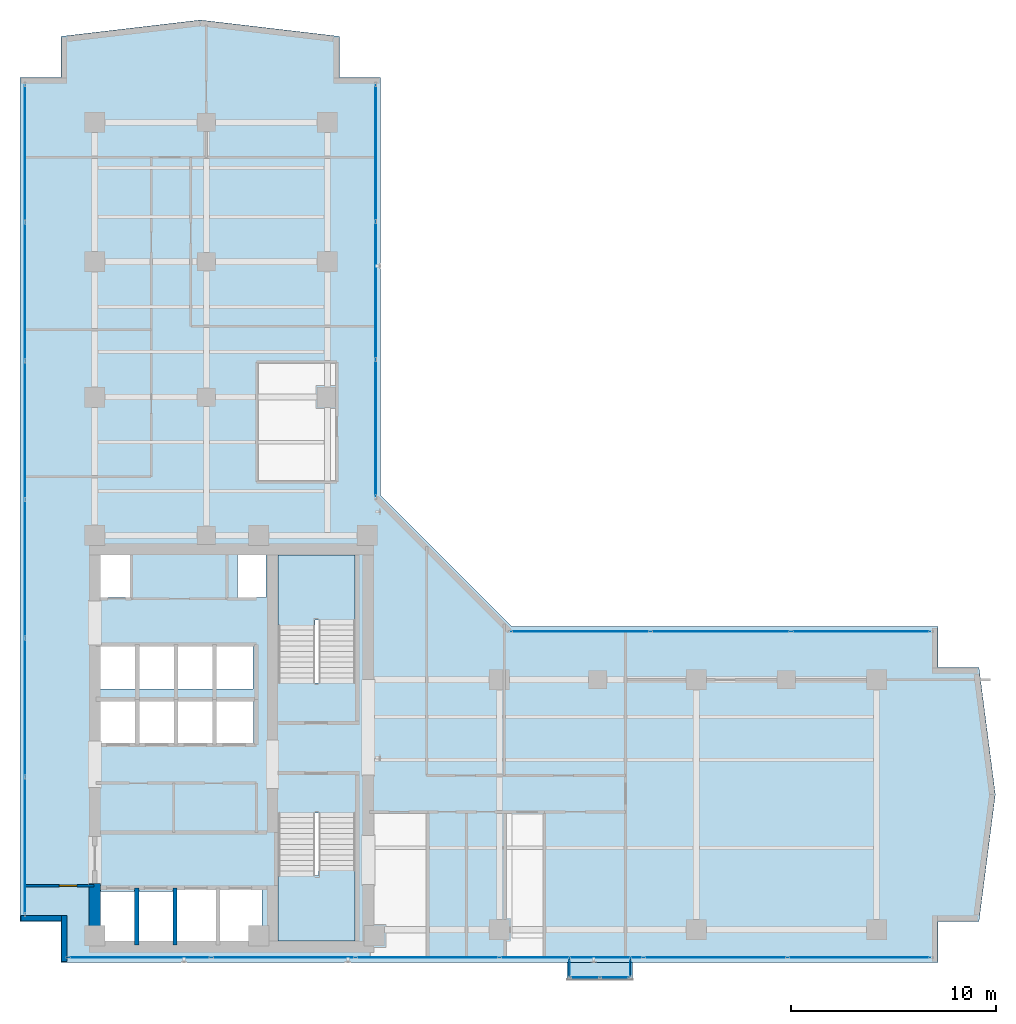
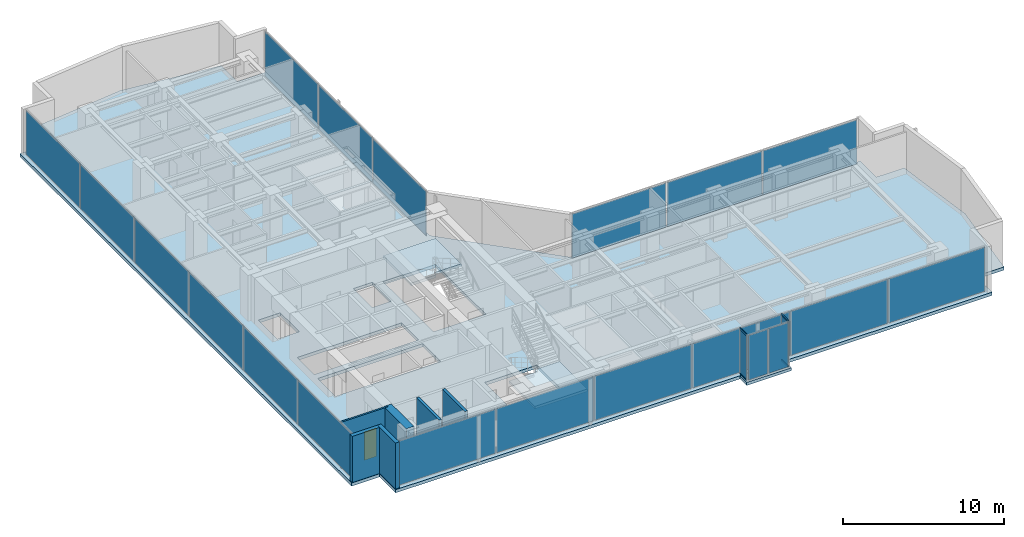
# One storey, part 16 of 22: 22 plates, 6 walls, 4 members, 4 slabs, 1 door, 1 opening, 9 elements without a shape of their own.
"""IFC4 building model written with IfcOpenShell, lengths in metres."""

from ifc_helpers import new_model, si_unit, direction, frame, frame_2d, origin, origin_with_axes, origin_2d, place, context, subcontext, project, spatial, polyline, rectangle, hollow_rectangle, outline, extrude, source, transform, mapped, material, layer, layer_set, material_profile, profile_set, type_object, element, fill, aggregate, save


model = new_model("IFC4")

# Units and contexts
model_context = context("Model", 3, precision=1e-05, world=origin(), true_north=direction((0.0, 1.0)))
body_context = subcontext(model_context, "Body", "Model", "MODEL_VIEW")
ifc_project = project(units=[si_unit("LENGTHUNIT", "METRE"), si_unit("AREAUNIT", "SQUARE_METRE"), si_unit("VOLUMEUNIT", "CUBIC_METRE"), si_unit("PLANEANGLEUNIT", "RADIAN"), si_unit("MASSUNIT", "GRAM", prefix="KILO")], contexts=[model_context])

# Site, building, storey
site_placement = place(None, origin())
site = spatial("IfcSite", under=ifc_project, at=site_placement, CompositionType="ELEMENT")
building_placement = place(site_placement, origin())
building = spatial("IfcBuilding", under=site, at=building_placement, Name="Kolvaren Waterfront Exchange", CompositionType="ELEMENT")
storey_placement = place(building_placement, frame((0.0, 0.0, 219.699951171875)))
storey = spatial("IfcBuildingStorey", under=building, at=storey_placement, Name="L56", CompositionType="ELEMENT", Elevation=219.699951171875)

# Curtain wall, members
ifc_material_1 = material(Name="Anodised bronze aluminium 6063-T6", Category="aluminium")
ifc_layer_1 = layer(ifc_material_1, 0.219970703125, Name="Anodised bronze aluminium 6063-T6")
ifc_layer_set_1 = layer_set([ifc_layer_1], Name="Anodised bronze aluminium 6063-T6")
curtain_wall_type_1 = type_object("IfcCurtainWallType", Name="ARC-CW-SYS3", PredefinedType="USERDEFINED", material=ifc_layer_set_1)
curtain_wall_1_placement = place(storey_placement, origin())
curtain_wall_1 = element("IfcCurtainWall", 1, at=curtain_wall_1_placement, inside=storey, type_object=curtain_wall_type_1, Name="L56 stick curtain wall CW3 (CW-L56-BOX-W)", ObjectType="STICK CURTAIN WALL", PredefinedType="USERDEFINED")
ifc_material_profile = material_profile(ifc_material_1, hollow_rectangle(XDim=0.06494140625, YDim=0.1298828125, WallThickness=0.00390625, at=origin_2d()), Name="ALU-TRN-130x65x4")
ifc_profile_set = profile_set([ifc_material_profile], Name="Anodised bronze aluminium 6063-T6")
member_type = type_object("IfcMemberType", Name="ARC-CWT-130", PredefinedType="USERDEFINED", material=ifc_profile_set)
shared_shape_1 = source(origin_with_axes(), body_context, "Body", "SweptSolid", [
    extrude(hollow_rectangle(XDim=0.06494140625, YDim=0.1298828125, WallThickness=0.00390625, at=origin_2d()), origin(), (0.0, 0.0, 1.0), 0.829833984375),
])
member_1_placement = place(storey_placement, frame((30.610107421875, 3.764892578125, 0.032470703125), z_axis=(0.0, -1.0, 0.0), x_axis=(1.0, 0.0, 0.0)))
member_1 = element("IfcMember", 2, at=member_1_placement, type_object=member_type, Name="CW3 transom 1.1", ObjectType="TRANSOM", PredefinedType="USERDEFINED", context=body_context, shape_type="MappedRepresentation", body=[
    mapped(shared_shape_1, transform((0.0, 0.0, 0.0), x_axis=(1.0, 0.0, 0.0), y_axis=(0.0, 1.0, 0.0), z_axis=(0.0, 0.0, 1.0), scale=1.0)),
])
member_2_placement = place(storey_placement, frame((30.610107421875, 3.764892578125, 3.467529296875), z_axis=(0.0, -1.0, 0.0), x_axis=(1.0, 0.0, 0.0)))
member_2 = element("IfcMember", 3, at=member_2_placement, type_object=member_type, Name="CW3 transom 1.2", ObjectType="TRANSOM", PredefinedType="USERDEFINED", context=body_context, shape_type="MappedRepresentation", body=[
    mapped(shared_shape_1, transform((0.0, 0.0, 0.0), x_axis=(1.0, 0.0, 0.0), y_axis=(0.0, 1.0, 0.0), z_axis=(0.0, 0.0, 1.0), scale=1.0)),
])

curtain_wall_2_placement = place(storey_placement, origin())
curtain_wall_2 = element("IfcCurtainWall", 4, at=curtain_wall_2_placement, inside=storey, type_object=curtain_wall_type_1, Name="L56 stick curtain wall CW3 (CW-L56-BOX-E)", ObjectType="STICK CURTAIN WALL", PredefinedType="USERDEFINED")
member_3_placement = place(storey_placement, frame((33.590087890625, 2.93505859375, 0.032470703125), z_axis=(0.0, 1.0, 0.0), x_axis=(-1.0, 0.0, 0.0)))
member_3 = element("IfcMember", 5, at=member_3_placement, type_object=member_type, Name="CW3 transom 1.1", ObjectType="TRANSOM", PredefinedType="USERDEFINED", context=body_context, shape_type="MappedRepresentation", body=[
    mapped(shared_shape_1, transform((0.0, 0.0, 0.0), x_axis=(1.0, 0.0, 0.0), y_axis=(0.0, 1.0, 0.0), z_axis=(0.0, 0.0, 1.0), scale=1.0)),
])
member_4_placement = place(storey_placement, frame((33.590087890625, 2.93505859375, 3.467529296875), z_axis=(0.0, 1.0, 0.0), x_axis=(-1.0, 0.0, 0.0)))
member_4 = element("IfcMember", 6, at=member_4_placement, type_object=member_type, Name="CW3 transom 1.2", ObjectType="TRANSOM", PredefinedType="USERDEFINED", context=body_context, shape_type="MappedRepresentation", body=[
    mapped(shared_shape_1, transform((0.0, 0.0, 0.0), x_axis=(1.0, 0.0, 0.0), y_axis=(0.0, 1.0, 0.0), z_axis=(0.0, 0.0, 1.0), scale=1.0)),
])

# Stair, slab
ifc_material_2 = material(Name="Concrete C40/50", Category="concrete")
stair_type = type_object("IfcStairType", Name="ARC-STAIR-3800", PredefinedType="HALF_TURN_STAIR", material=ifc_material_2)
stair_1_placement = place(storey_placement, origin())
stair_1 = element("IfcStair", 7, at=stair_1_placement, inside=storey, type_object=stair_type, Name="L56 Smoke-proof exit stair ST1", PredefinedType="HALF_TURN_STAIR")
ifc_layer_2 = layer(ifc_material_2, 0.199951171875, Name="Concrete C40/50")
ifc_layer_set_2 = layer_set([ifc_layer_2], Name="Concrete C40/50")
slab_type_1 = type_object("IfcSlabType", Name="STR-LANDING-200", PredefinedType="LANDING", material=ifc_layer_set_2)
slab_1_placement = place(storey_placement, frame((0.0, 0.0, 1.776123046875)))
slab_1 = element("IfcSlab", 8, at=slab_1_placement, type_object=slab_type_1, Name="ST1 landing 1", PredefinedType="LANDING", context=body_context, shape_type="SweptSolid", body=[
    extrude(outline(polyline([(16.39990234375, 7.840087890625), (16.39990234375, 4.64990234375), (20.159912109375, 4.64990234375), (20.159912109375, 8.10009765625), (18.360107421875, 8.10009765625), (18.360107421875, 7.840087890625), (16.39990234375, 7.840087890625)])), origin(), (0.0, 0.0, 1.0), 0.199951171875),
])
aggregate(stair_1, [slab_1])

stair_2_placement = place(storey_placement, origin())
stair_2 = element("IfcStair", 9, at=stair_2_placement, inside=storey, type_object=stair_type, Name="L56 Smoke-proof exit stair ST2", PredefinedType="HALF_TURN_STAIR")
slab_2_placement = place(storey_placement, frame((0.0, 0.0, 1.776123046875)))
slab_2 = element("IfcSlab", 10, at=slab_2_placement, type_object=slab_type_1, Name="ST2 landing 1", PredefinedType="LANDING", context=body_context, shape_type="SweptSolid", body=[
    extrude(outline(polyline([(20.159912109375, 20.31005859375), (20.159912109375, 23.5), (16.39990234375, 23.5), (16.39990234375, 20.050048828125), (18.199951171875, 20.050048828125), (18.199951171875, 20.31005859375), (20.159912109375, 20.31005859375)])), origin(), (0.0, 0.0, 1.0), 0.199951171875),
])
aggregate(stair_2, [slab_2])

# Slabs
ifc_layer_3 = layer(ifc_material_2, 0.239990234375, Name="Concrete C40/50")
ifc_layer_set_3 = layer_set([ifc_layer_3], Name="Concrete C40/50")
slab_type_2 = type_object("IfcSlabType", Name="STR-SLAB-240", PredefinedType="FLOOR", material=ifc_layer_set_3)
slab_3_placement = place(storey_placement, frame((0.0, 0.0, -0.239990234375)))
element("IfcSlab", 11, at=slab_3_placement, inside=storey, type_object=slab_type_2, Name="L56 structural floor slab", PredefinedType="FLOOR", context=body_context, shape_type="SweptSolid", body=[
    extrude(outline(polyline([(5.800048828125, 3.60009765625), (48.60009765625, 3.60009765625), (48.60009765625, 5.60009765625), (50.60009765625, 5.60009765625), (51.39990234375, 11.800048828125), (50.60009765625, 18.0), (48.60009765625, 18.0), (48.60009765625, 20.0), (27.800048828125, 20.0), (21.39990234375, 26.39990234375), (21.39990234375, 46.800048828125), (19.39990234375, 46.800048828125), (19.39990234375, 48.800048828125), (12.60009765625, 49.60009765625), (5.800048828125, 48.800048828125), (5.800048828125, 46.800048828125), (3.800048828125, 46.800048828125), (3.800048828125, 5.60009765625), (5.800048828125, 5.60009765625), (5.800048828125, 3.60009765625)]), holes=[polyline([(11.320068359375, 7.260009765625), (15.610107421875, 7.260009765625), (15.610107421875, 4.5400390625), (7.719970703125, 4.5400390625), (7.719970703125, 7.06005859375), (11.320068359375, 7.06005859375), (11.320068359375, 7.260009765625)]), polyline([(20.159912109375, 10.89990234375), (20.159912109375, 4.64990234375), (16.39990234375, 4.64990234375), (16.39990234375, 10.89990234375), (20.159912109375, 10.89990234375)]), polyline([(15.18505859375, 14.239990234375), (7.64501953125, 14.239990234375), (7.64501953125, 16.4599609375), (15.18505859375, 16.4599609375), (15.18505859375, 14.239990234375)]), polyline([(15.159912109375, 16.93994140625), (7.669921875, 16.93994140625), (7.669921875, 19.06005859375), (15.159912109375, 19.06005859375), (15.159912109375, 16.93994140625)]), polyline([(16.39990234375, 17.25), (16.39990234375, 23.5), (20.159912109375, 23.5), (20.159912109375, 17.25), (16.39990234375, 17.25)]), polyline([(7.60009765625, 23.780029296875), (9.179931640625, 23.780029296875), (9.179931640625, 21.419921875), (7.60009765625, 21.419921875), (7.60009765625, 23.780029296875)]), polyline([(14.419921875, 23.780029296875), (15.800048828125, 23.780029296875), (15.800048828125, 21.419921875), (14.419921875, 21.419921875), (14.419921875, 23.780029296875)])]), origin(), (0.0, 0.0, 1.0), 0.239990234375),
])
ifc_layer_4 = layer(ifc_material_2, 0.219970703125, Name="Concrete C40/50")
ifc_layer_set_4 = layer_set([ifc_layer_4], Name="Concrete C40/50")
slab_type_3 = type_object("IfcSlabType", Name="STR-TERR-220", PredefinedType="FLOOR", material=ifc_layer_set_4)
slab_4_placement = place(storey_placement, frame((0.0, 0.0, -0.219970703125)))
element("IfcSlab", 12, at=slab_4_placement, inside=storey, type_object=slab_type_3, Name="L56 projecting bay-box floor strip", PredefinedType="FLOOR", context=body_context, shape_type="SweptSolid", body=[
    extrude(outline(polyline([(30.5, 2.75), (33.699951171875, 2.75), (33.699951171875, 3.60009765625), (30.5, 3.60009765625), (30.5, 2.75)])), origin(), (0.0, 0.0, 1.0), 0.219970703125),
])

# Plate
ifc_material_3 = material(Name="Bronze tinted bay-box vision glass", Category="aluminium")
ifc_layer_5 = layer(ifc_material_3, 0.02392578125, Name="Bronze tinted bay-box vision glass")
ifc_layer_set_5 = layer_set([ifc_layer_5], Name="Bronze tinted bay-box vision glass")
plate_type_1 = type_object("IfcPlateType", Name="ARC-CWP-24", PredefinedType="CURTAIN_PANEL", material=ifc_layer_set_5)
shared_shape_2 = source(origin_with_axes(), body_context, "Body", "SweptSolid", [
    extrude(rectangle(XDim=0.830078125, YDim=0.02392578125, at=origin_2d()), origin(), (0.0, 0.0, 1.0), 3.3701171875),
])
plate_1_placement = place(storey_placement, frame((30.610107421875, 3.35009765625, 0.06494140625), z_axis=(0.0, 0.0, 1.0), x_axis=(0.0, -1.0, 0.0)))
plate_1 = element("IfcPlate", 13, at=plate_1_placement, type_object=plate_type_1, Name="CW3 panel 1.1", PredefinedType="CURTAIN_PANEL", context=body_context, shape_type="MappedRepresentation", body=[
    mapped(shared_shape_2, transform((0.0, 0.0, 0.0), x_axis=(1.0, 0.0, 0.0), y_axis=(0.0, 1.0, 0.0), z_axis=(0.0, 0.0, 1.0), scale=1.0)),
])

aggregate(curtain_wall_1, [member_1, member_2, plate_1])

plate_2_placement = place(storey_placement, frame((33.590087890625, 3.35009765625, 0.06494140625), z_axis=(0.0, 0.0, 1.0), x_axis=(0.0, 1.0, 0.0)))
plate_2 = element("IfcPlate", 14, at=plate_2_placement, type_object=plate_type_1, Name="CW3 panel 1.1", PredefinedType="CURTAIN_PANEL", context=body_context, shape_type="MappedRepresentation", body=[
    mapped(shared_shape_2, transform((0.0, 0.0, 0.0), x_axis=(1.0, 0.0, 0.0), y_axis=(0.0, 1.0, 0.0), z_axis=(0.0, 0.0, 1.0), scale=1.0)),
])

aggregate(curtain_wall_2, [member_3, member_4, plate_2])

# Curtain wall, plates
curtain_wall_3_placement = place(storey_placement, origin())
curtain_wall_3 = element("IfcCurtainWall", 15, at=curtain_wall_3_placement, inside=storey, type_object=curtain_wall_type_1, Name="L56 stick curtain wall CW3 (CW-L56-BOX)", ObjectType="STICK CURTAIN WALL", PredefinedType="USERDEFINED")
shared_shape_3 = source(origin_with_axes(), body_context, "Body", "SweptSolid", [
    extrude(rectangle(XDim=1.37744140625, YDim=0.02392578125, at=origin_2d()), origin(), (0.0, 0.0, 1.0), 3.3701171875),
])
plate_3_placement = place(storey_placement, frame((31.373779296875, 2.860107421875, 0.06494140625), z_axis=(0.0, 0.0, 1.0), x_axis=(1.0, 0.0, 0.0)))
plate_3 = element("IfcPlate", 16, at=plate_3_placement, type_object=plate_type_1, Name="CW3 panel 1.1", PredefinedType="CURTAIN_PANEL", context=body_context, shape_type="MappedRepresentation", body=[
    mapped(shared_shape_3, transform((0.0, 0.0, 0.0), x_axis=(1.0, 0.0, 0.0), y_axis=(0.0, 1.0, 0.0), z_axis=(0.0, 0.0, 1.0), scale=1.0)),
])
plate_4_placement = place(storey_placement, frame((32.826171875, 2.860107421875, 0.06494140625), z_axis=(0.0, 0.0, 1.0), x_axis=(1.0, 0.0, 0.0)))
plate_4 = element("IfcPlate", 17, at=plate_4_placement, type_object=plate_type_1, Name="CW3 panel 2.1", PredefinedType="CURTAIN_PANEL", context=body_context, shape_type="MappedRepresentation", body=[
    mapped(shared_shape_3, transform((0.0, 0.0, 0.0), x_axis=(1.0, 0.0, 0.0), y_axis=(0.0, 1.0, 0.0), z_axis=(0.0, 0.0, 1.0), scale=1.0)),
])
aggregate(curtain_wall_3, [plate_3, plate_4])

ifc_layer_6 = layer(ifc_material_1, 0.219970703125, Name="Anodised bronze aluminium 6063-T6")
ifc_layer_set_6 = layer_set([ifc_layer_6], Name="Anodised bronze aluminium 6063-T6")
curtain_wall_type_2 = type_object("IfcCurtainWallType", Name="ARC-CW-SYS1", PredefinedType="USERDEFINED", material=ifc_layer_set_6)
curtain_wall_4_placement = place(storey_placement, origin())
curtain_wall_4 = element("IfcCurtainWall", 18, at=curtain_wall_4_placement, inside=storey, type_object=curtain_wall_type_2, Name="L56 stick curtain wall CW1 (CW-L56-S)", ObjectType="STICK CURTAIN WALL", PredefinedType="USERDEFINED")
ifc_material_4 = material(Name="Bronze solar control vision glass", Category="aluminium")
ifc_layer_7 = layer(ifc_material_4, 0.028076171875, Name="Bronze solar control vision glass")
ifc_layer_set_7 = layer_set([ifc_layer_7], Name="Bronze solar control vision glass")
plate_type_2 = type_object("IfcPlateType", Name="ARC-CWP-28", PredefinedType="CURTAIN_PANEL", material=ifc_layer_set_7)
shared_shape_4 = source(origin_with_axes(), body_context, "Body", "SweptSolid", [
    extrude(rectangle(XDim=6.913330078125, YDim=0.028076171875, at=origin_2d()), origin(), (0.0, 0.0, 1.0), 3.35009765625),
])
plate_5_placement = place(storey_placement, frame((9.63671875, 3.840087890625, 0.074951171875), z_axis=(0.0, 0.0, 1.0), x_axis=(1.0, 0.0, 0.0)))
plate_5 = element("IfcPlate", 19, at=plate_5_placement, type_object=plate_type_2, Name="CW1 panel 1.1", PredefinedType="CURTAIN_PANEL", context=body_context, shape_type="MappedRepresentation", body=[
    mapped(shared_shape_4, transform((0.0, 0.0, 0.0), x_axis=(1.0, 0.0, 0.0), y_axis=(0.0, 1.0, 0.0), z_axis=(0.0, 0.0, 1.0), scale=1.0)),
])
plate_6_placement = place(storey_placement, frame((44.763427734375, 3.840087890625, 0.074951171875), z_axis=(0.0, 0.0, 1.0), x_axis=(1.0, 0.0, 0.0)))
plate_6 = element("IfcPlate", 20, at=plate_6_placement, type_object=plate_type_2, Name="CW1 panel 6.1", PredefinedType="CURTAIN_PANEL", context=body_context, shape_type="MappedRepresentation", body=[
    mapped(shared_shape_4, transform((0.0, 0.0, 0.0), x_axis=(1.0, 0.0, 0.0), y_axis=(0.0, 1.0, 0.0), z_axis=(0.0, 0.0, 1.0), scale=1.0)),
])
shared_shape_5 = source(origin_with_axes(), body_context, "Body", "SweptSolid", [
    extrude(rectangle(XDim=6.953369140625, YDim=0.028076171875, at=origin_2d()), origin(), (0.0, 0.0, 1.0), 3.35009765625),
])
plate_7_placement = place(storey_placement, frame((16.64990234375, 3.840087890625, 0.074951171875), z_axis=(0.0, 0.0, 1.0), x_axis=(1.0, 0.0, 0.0)))
plate_7 = element("IfcPlate", 21, at=plate_7_placement, type_object=plate_type_2, Name="CW1 panel 2.1", PredefinedType="CURTAIN_PANEL", context=body_context, shape_type="MappedRepresentation", body=[
    mapped(shared_shape_5, transform((0.0, 0.0, 0.0), x_axis=(1.0, 0.0, 0.0), y_axis=(0.0, 1.0, 0.0), z_axis=(0.0, 0.0, 1.0), scale=1.0)),
])
plate_8_placement = place(storey_placement, frame((23.683349609375, 3.840087890625, 0.074951171875), z_axis=(0.0, 0.0, 1.0), x_axis=(1.0, 0.0, 0.0)))
plate_8 = element("IfcPlate", 22, at=plate_8_placement, type_object=plate_type_2, Name="CW1 panel 3.1", PredefinedType="CURTAIN_PANEL", context=body_context, shape_type="MappedRepresentation", body=[
    mapped(shared_shape_5, transform((0.0, 0.0, 0.0), x_axis=(1.0, 0.0, 0.0), y_axis=(0.0, 1.0, 0.0), z_axis=(0.0, 0.0, 1.0), scale=1.0)),
])
plate_9_placement = place(storey_placement, frame((30.716552734375, 3.840087890625, 0.074951171875), z_axis=(0.0, 0.0, 1.0), x_axis=(1.0, 0.0, 0.0)))
plate_9 = element("IfcPlate", 23, at=plate_9_placement, type_object=plate_type_2, Name="CW1 panel 4.1", PredefinedType="CURTAIN_PANEL", context=body_context, shape_type="MappedRepresentation", body=[
    mapped(shared_shape_5, transform((0.0, 0.0, 0.0), x_axis=(1.0, 0.0, 0.0), y_axis=(0.0, 1.0, 0.0), z_axis=(0.0, 0.0, 1.0), scale=1.0)),
])
plate_10_placement = place(storey_placement, frame((37.75, 3.840087890625, 0.074951171875), z_axis=(0.0, 0.0, 1.0), x_axis=(1.0, 0.0, 0.0)))
plate_10 = element("IfcPlate", 24, at=plate_10_placement, type_object=plate_type_2, Name="CW1 panel 5.1", PredefinedType="CURTAIN_PANEL", context=body_context, shape_type="MappedRepresentation", body=[
    mapped(shared_shape_5, transform((0.0, 0.0, 0.0), x_axis=(1.0, 0.0, 0.0), y_axis=(0.0, 1.0, 0.0), z_axis=(0.0, 0.0, 1.0), scale=1.0)),
])
aggregate(curtain_wall_4, [plate_5, plate_7, plate_8, plate_9, plate_10, plate_6])

ifc_material_5 = material(Name="Anodised aluminium 6063-T6", Category="aluminium")
ifc_layer_8 = layer(ifc_material_5, 0.219970703125, Name="Anodised aluminium 6063-T6")
ifc_layer_set_8 = layer_set([ifc_layer_8], Name="Anodised aluminium 6063-T6")
curtain_wall_type_3 = type_object("IfcCurtainWallType", Name="ARC-CW-SYS2", PredefinedType="USERDEFINED", material=ifc_layer_set_8)
curtain_wall_5_placement = place(storey_placement, origin())
curtain_wall_5 = element("IfcCurtainWall", 25, at=curtain_wall_5_placement, inside=storey, type_object=curtain_wall_type_3, Name="L56 stick curtain wall CW2 (CW-L56-W)", ObjectType="STICK CURTAIN WALL", PredefinedType="USERDEFINED")
ifc_material_6 = material(Name="Acoustic laminated vision glass", Category="glass")
ifc_layer_9 = layer(ifc_material_6, 0.031982421875, Name="Acoustic laminated vision glass")
ifc_layer_set_9 = layer_set([ifc_layer_9], Name="Acoustic laminated vision glass")
plate_type_3 = type_object("IfcPlateType", Name="ARC-CWP-32", PredefinedType="CURTAIN_PANEL", material=ifc_layer_set_9)
shared_shape_6 = source(origin_with_axes(), body_context, "Body", "SweptSolid", [
    extrude(rectangle(XDim=6.646728515625, YDim=0.031982421875, at=origin_2d()), origin(), (0.0, 0.0, 1.0), 3.35009765625),
])
plate_11_placement = place(storey_placement, frame((4.0400390625, 9.30322265625, 0.074951171875), z_axis=(0.0, 0.0, 1.0), x_axis=(0.0, 1.0, 0.0)))
plate_11 = element("IfcPlate", 26, at=plate_11_placement, type_object=plate_type_3, Name="CW2 panel 1.1", PredefinedType="CURTAIN_PANEL", context=body_context, shape_type="MappedRepresentation", body=[
    mapped(shared_shape_6, transform((0.0, 0.0, 0.0), x_axis=(1.0, 0.0, 0.0), y_axis=(0.0, 1.0, 0.0), z_axis=(0.0, 0.0, 1.0), scale=1.0)),
])
plate_12_placement = place(storey_placement, frame((4.0400390625, 43.0966796875, 0.074951171875), z_axis=(0.0, 0.0, 1.0), x_axis=(0.0, 1.0, 0.0)))
plate_12 = element("IfcPlate", 27, at=plate_12_placement, type_object=plate_type_3, Name="CW2 panel 6.1", PredefinedType="CURTAIN_PANEL", context=body_context, shape_type="MappedRepresentation", body=[
    mapped(shared_shape_6, transform((0.0, 0.0, 0.0), x_axis=(1.0, 0.0, 0.0), y_axis=(0.0, 1.0, 0.0), z_axis=(0.0, 0.0, 1.0), scale=1.0)),
])
shared_shape_7 = source(origin_with_axes(), body_context, "Body", "SweptSolid", [
    extrude(rectangle(XDim=6.686767578125, YDim=0.031982421875, at=origin_2d()), origin(), (0.0, 0.0, 1.0), 3.35009765625),
])
plate_13_placement = place(storey_placement, frame((4.0400390625, 16.050048828125, 0.074951171875), z_axis=(0.0, 0.0, 1.0), x_axis=(0.0, 1.0, 0.0)))
plate_13 = element("IfcPlate", 28, at=plate_13_placement, type_object=plate_type_3, Name="CW2 panel 2.1", PredefinedType="CURTAIN_PANEL", context=body_context, shape_type="MappedRepresentation", body=[
    mapped(shared_shape_7, transform((0.0, 0.0, 0.0), x_axis=(1.0, 0.0, 0.0), y_axis=(0.0, 1.0, 0.0), z_axis=(0.0, 0.0, 1.0), scale=1.0)),
])
plate_14_placement = place(storey_placement, frame((4.0400390625, 22.816650390625, 0.074951171875), z_axis=(0.0, 0.0, 1.0), x_axis=(0.0, 1.0, 0.0)))
plate_14 = element("IfcPlate", 29, at=plate_14_placement, type_object=plate_type_3, Name="CW2 panel 3.1", PredefinedType="CURTAIN_PANEL", context=body_context, shape_type="MappedRepresentation", body=[
    mapped(shared_shape_7, transform((0.0, 0.0, 0.0), x_axis=(1.0, 0.0, 0.0), y_axis=(0.0, 1.0, 0.0), z_axis=(0.0, 0.0, 1.0), scale=1.0)),
])
plate_15_placement = place(storey_placement, frame((4.0400390625, 29.583251953125, 0.074951171875), z_axis=(0.0, 0.0, 1.0), x_axis=(0.0, 1.0, 0.0)))
plate_15 = element("IfcPlate", 30, at=plate_15_placement, type_object=plate_type_3, Name="CW2 panel 4.1", PredefinedType="CURTAIN_PANEL", context=body_context, shape_type="MappedRepresentation", body=[
    mapped(shared_shape_7, transform((0.0, 0.0, 0.0), x_axis=(1.0, 0.0, 0.0), y_axis=(0.0, 1.0, 0.0), z_axis=(0.0, 0.0, 1.0), scale=1.0)),
])
plate_16_placement = place(storey_placement, frame((4.0400390625, 36.35009765625, 0.074951171875), z_axis=(0.0, 0.0, 1.0), x_axis=(0.0, 1.0, 0.0)))
plate_16 = element("IfcPlate", 31, at=plate_16_placement, type_object=plate_type_3, Name="CW2 panel 5.1", PredefinedType="CURTAIN_PANEL", context=body_context, shape_type="MappedRepresentation", body=[
    mapped(shared_shape_7, transform((0.0, 0.0, 0.0), x_axis=(1.0, 0.0, 0.0), y_axis=(0.0, 1.0, 0.0), z_axis=(0.0, 0.0, 1.0), scale=1.0)),
])
aggregate(curtain_wall_5, [plate_11, plate_13, plate_14, plate_15, plate_16, plate_12])

curtain_wall_6_placement = place(storey_placement, origin())
curtain_wall_6 = element("IfcCurtainWall", 32, at=curtain_wall_6_placement, inside=storey, type_object=curtain_wall_type_2, Name="L56 stick curtain wall CW1 (CW-L56-NE)", ObjectType="STICK CURTAIN WALL", PredefinedType="USERDEFINED")
shared_shape_8 = source(origin_with_axes(), body_context, "Body", "SweptSolid", [
    extrude(rectangle(XDim=6.61669921875, YDim=0.028076171875, at=origin_2d()), origin(), (0.0, 0.0, 1.0), 3.35009765625),
])
plate_17_placement = place(storey_placement, frame((21.159912109375, 29.67822265625, 0.074951171875), z_axis=(0.0, 0.0, 1.0), x_axis=(0.0, 1.0, 0.0)))
plate_17 = element("IfcPlate", 33, at=plate_17_placement, type_object=plate_type_2, Name="CW1 panel 1.1", PredefinedType="CURTAIN_PANEL", context=body_context, shape_type="MappedRepresentation", body=[
    mapped(shared_shape_8, transform((0.0, 0.0, 0.0), x_axis=(1.0, 0.0, 0.0), y_axis=(0.0, 1.0, 0.0), z_axis=(0.0, 0.0, 1.0), scale=1.0)),
])
plate_18_placement = place(storey_placement, frame((21.159912109375, 43.111572265625, 0.074951171875), z_axis=(0.0, 0.0, 1.0), x_axis=(0.0, 1.0, 0.0)))
plate_18 = element("IfcPlate", 34, at=plate_18_placement, type_object=plate_type_2, Name="CW1 panel 3.1", PredefinedType="CURTAIN_PANEL", context=body_context, shape_type="MappedRepresentation", body=[
    mapped(shared_shape_8, transform((0.0, 0.0, 0.0), x_axis=(1.0, 0.0, 0.0), y_axis=(0.0, 1.0, 0.0), z_axis=(0.0, 0.0, 1.0), scale=1.0)),
])
shared_shape_9 = source(origin_with_axes(), body_context, "Body", "SweptSolid", [
    extrude(rectangle(XDim=6.65673828125, YDim=0.028076171875, at=origin_2d()), origin(), (0.0, 0.0, 1.0), 3.35009765625),
])
plate_19_placement = place(storey_placement, frame((21.159912109375, 36.39501953125, 0.074951171875), z_axis=(0.0, 0.0, 1.0), x_axis=(0.0, 1.0, 0.0)))
plate_19 = element("IfcPlate", 35, at=plate_19_placement, type_object=plate_type_2, Name="CW1 panel 2.1", PredefinedType="CURTAIN_PANEL", context=body_context, shape_type="MappedRepresentation", body=[
    mapped(shared_shape_9, transform((0.0, 0.0, 0.0), x_axis=(1.0, 0.0, 0.0), y_axis=(0.0, 1.0, 0.0), z_axis=(0.0, 0.0, 1.0), scale=1.0)),
])
aggregate(curtain_wall_6, [plate_17, plate_19, plate_18])

curtain_wall_7_placement = place(storey_placement, origin())
curtain_wall_7 = element("IfcCurtainWall", 36, at=curtain_wall_7_placement, inside=storey, type_object=curtain_wall_type_2, Name="L56 stick curtain wall CW1 (CW-L56-EN)", ObjectType="STICK CURTAIN WALL", PredefinedType="USERDEFINED")
shared_shape_10 = source(origin_with_axes(), body_context, "Body", "SweptSolid", [
    extrude(rectangle(XDim=6.75, YDim=0.028076171875, at=origin_2d()), origin(), (0.0, 0.0, 1.0), 3.35009765625),
])
plate_20_placement = place(storey_placement, frame((31.14501953125, 19.760009765625, 0.074951171875), z_axis=(0.0, 0.0, 1.0), x_axis=(1.0, 0.0, 0.0)))
plate_20 = element("IfcPlate", 37, at=plate_20_placement, type_object=plate_type_2, Name="CW1 panel 1.1", PredefinedType="CURTAIN_PANEL", context=body_context, shape_type="MappedRepresentation", body=[
    mapped(shared_shape_10, transform((0.0, 0.0, 0.0), x_axis=(1.0, 0.0, 0.0), y_axis=(0.0, 1.0, 0.0), z_axis=(0.0, 0.0, 1.0), scale=1.0)),
])
plate_21_placement = place(storey_placement, frame((44.844970703125, 19.760009765625, 0.074951171875), z_axis=(0.0, 0.0, 1.0), x_axis=(1.0, 0.0, 0.0)))
plate_21 = element("IfcPlate", 38, at=plate_21_placement, type_object=plate_type_2, Name="CW1 panel 3.1", PredefinedType="CURTAIN_PANEL", context=body_context, shape_type="MappedRepresentation", body=[
    mapped(shared_shape_10, transform((0.0, 0.0, 0.0), x_axis=(1.0, 0.0, 0.0), y_axis=(0.0, 1.0, 0.0), z_axis=(0.0, 0.0, 1.0), scale=1.0)),
])
shared_shape_11 = source(origin_with_axes(), body_context, "Body", "SweptSolid", [
    extrude(rectangle(XDim=6.7900390625, YDim=0.028076171875, at=origin_2d()), origin(), (0.0, 0.0, 1.0), 3.35009765625),
])
plate_22_placement = place(storey_placement, frame((37.9951171875, 19.760009765625, 0.074951171875), z_axis=(0.0, 0.0, 1.0), x_axis=(1.0, 0.0, 0.0)))
plate_22 = element("IfcPlate", 39, at=plate_22_placement, type_object=plate_type_2, Name="CW1 panel 2.1", PredefinedType="CURTAIN_PANEL", context=body_context, shape_type="MappedRepresentation", body=[
    mapped(shared_shape_11, transform((0.0, 0.0, 0.0), x_axis=(1.0, 0.0, 0.0), y_axis=(0.0, 1.0, 0.0), z_axis=(0.0, 0.0, 1.0), scale=1.0)),
])
aggregate(curtain_wall_7, [plate_20, plate_22, plate_21])

# Walls
ifc_material_7 = material(Name="Precast concrete C40/50", Category="concrete")
ifc_layer_10 = layer(ifc_material_7, 0.280029296875, Name="Precast concrete C40/50")
ifc_layer_set_10 = layer_set([ifc_layer_10], Name="Precast concrete C40/50")
wall_type_1 = type_object("IfcWallType", Name="ARC-EXT-TERR-280", PredefinedType="SOLIDWALL", material=ifc_layer_set_10)
wall_1_placement = place(storey_placement, frame((5.9599609375, 3.659912109375, 0.0), z_axis=(0.0, 0.0, 1.0), x_axis=(0.0, 1.0, 0.0)))
element("IfcWall", 40, at=wall_1_placement, inside=storey, type_object=wall_type_1, Name="L56 notched corner spandrel pier SW-A", PredefinedType="SOLIDWALL", context=body_context, shape_type="SweptSolid", body=[
    extrude(rectangle(XDim=2.239990234375, YDim=0.280029296875, at=frame_2d((1.1201171875, 0.0))), origin(), (0.0, 0.0, 1.0), 3.5),
])
wall_2_placement = place(storey_placement, frame((3.860107421875, 5.760009765625, 0.0), z_axis=(0.0, 0.0, 1.0), x_axis=(1.0, 0.0, 0.0)))
element("IfcWall", 41, at=wall_2_placement, inside=storey, type_object=wall_type_1, Name="L56 notched corner spandrel pier SW-B", PredefinedType="SOLIDWALL", context=body_context, shape_type="SweptSolid", body=[
    extrude(rectangle(XDim=1.9599609375, YDim=0.280029296875, at=frame_2d((0.97998046875, 0.0))), origin(), (0.0, 0.0, 1.0), 3.5),
])

# Wall, opening, door
ifc_material_8 = material(Name="Acoustic gypsum steel stud", Category="steel")
ifc_layer_11 = layer(ifc_material_8, 0.125, Name="Acoustic gypsum steel stud")
ifc_layer_set_11 = layer_set([ifc_layer_11], Name="Acoustic gypsum steel stud")
wall_type_2 = type_object("IfcWallType", Name="ARC-PART-125", PredefinedType="PARTITIONING", material=ifc_layer_set_11)
wall_3_placement = place(storey_placement, frame((4.0400390625, 7.35009765625, 0.0), z_axis=(0.0, 0.0, 1.0), x_axis=(1.0, 0.0, 0.0)))
wall_3 = element("IfcWall", 42, at=wall_3_placement, inside=storey, type_object=wall_type_2, Name="L56 interior wall PW-L56-SWC-N", PredefinedType="PARTITIONING", context=body_context, shape_type="SweptSolid", body=[
    extrude(rectangle(XDim=3.35986328125, YDim=0.125, at=frame_2d((1.679931640625, 0.0))), origin(), (0.0, 0.0, 1.0), 3.5),
])
opening_placement = place(wall_3_placement, frame((1.686767578125, 0.0, 0.0)))
opening = element("IfcOpeningElement", 43, at=opening_placement, cuts=wall_3, Name="Opening D01", PredefinedType="OPENING", context=body_context, shape_type="SweptSolid", body=[
    extrude(rectangle(XDim=0.85009765625, YDim=2.14990234375, at=frame_2d((0.425048828125, 1.074951171875))), frame((0.0, 0.072509765625, 0.0), z_axis=(0.0, -1.0, 0.0), x_axis=(1.0, 0.0, 0.0)), (0.0, 0.0, 1.0), 0.14501953125),
])
ifc_material_9 = material(Name="Oak veneer timber leaf", Category="wood")
door_type = type_object("IfcDoorType", Name="ARC-DR-900", OperationType="NOTDEFINED", PredefinedType="DOOR", material=ifc_material_9)
door_placement = place(opening_placement, origin())
door = element("IfcDoor", 44, at=door_placement, inside=storey, type_object=door_type, Name="L56 door DR-L56-SWC-D (D01)", OperationType="SINGLE_SWING_RIGHT", OverallHeight=2.14990234375, OverallWidth=0.85009765625, PredefinedType="DOOR", context=body_context, shape_type="SweptSolid", body=[
    extrude(rectangle(XDim=0.85009765625, YDim=2.14990234375, at=frame_2d((0.425048828125, 1.074951171875))), frame((0.0, 0.02490234375, 0.0), z_axis=(0.0, -1.0, 0.0), x_axis=(1.0, 0.0, 0.0)), (0.0, 0.0, 1.0), 0.050048828125),
])
fill(opening, door)

# Walls
ifc_layer_12 = layer(ifc_material_2, 0.199951171875, Name="Concrete C40/50")
ifc_layer_set_12 = layer_set([ifc_layer_12], Name="Concrete C40/50")
wall_type_3 = type_object("IfcWallType", Name="ARC-SHAFT-200", PredefinedType="PARTITIONING", material=ifc_layer_set_12)
for number, where, z_axis, x_axis, name in (
    (45, (9.5, 4.449951171875, 0.0), (0.0, 0.0, 1.0), (0.0, 1.0, 0.0), "L56 interior wall PW-L56-SH1-DIV-95"),
    (46, (11.360107421875, 4.449951171875, 0.0), (0.0, 0.0, 1.0), (0.0, 1.0, 0.0), "L56 interior wall PW-L56-SH1-DIV-113"),
):
    element("IfcWall", number, at=place(storey_placement, frame(where, z_axis=z_axis, x_axis=x_axis)), inside=storey, type_object=wall_type_3, Name=name, PredefinedType="PARTITIONING", context=body_context, shape_type="SweptSolid", body=[
        extrude(rectangle(XDim=2.800048828125, YDim=0.199951171875, at=frame_2d((1.39990234375, 0.0))), origin(), (0.0, 0.0, 1.0), 3.5),
    ])
ifc_material_10 = material(Name="Concrete C50/60", Category="concrete")
ifc_layer_13 = layer(ifc_material_10, 0.550048828125, Name="Concrete C50/60")
ifc_layer_set_13 = layer_set([ifc_layer_13], Name="Concrete C50/60")
wall_type_4 = type_object("IfcWallType", Name="STR-CWALL-550", PredefinedType="SHEAR", material=ifc_layer_set_13)
wall_4_placement = place(storey_placement, frame((7.449951171875, 4.64990234375, 0.0), z_axis=(0.0, 0.0, 1.0), x_axis=(0.0, 1.0, 0.0)))
element("IfcWall", 47, at=wall_4_placement, inside=storey, type_object=wall_type_4, Name="L56 rear-core shear wall W1", PredefinedType="SHEAR", context=body_context, shape_type="SweptSolid", body=[
    extrude(rectangle(XDim=2.800048828125, YDim=0.550048828125, at=frame_2d((1.39990234375, 0.0))), origin(), (0.0, 0.0, 1.0), 3.5),
])

save(model, "model.ifc")
